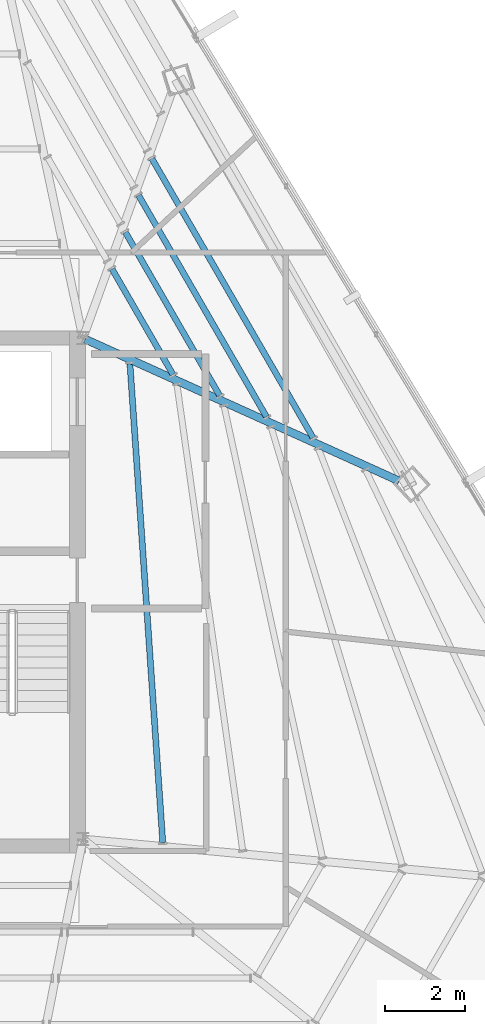
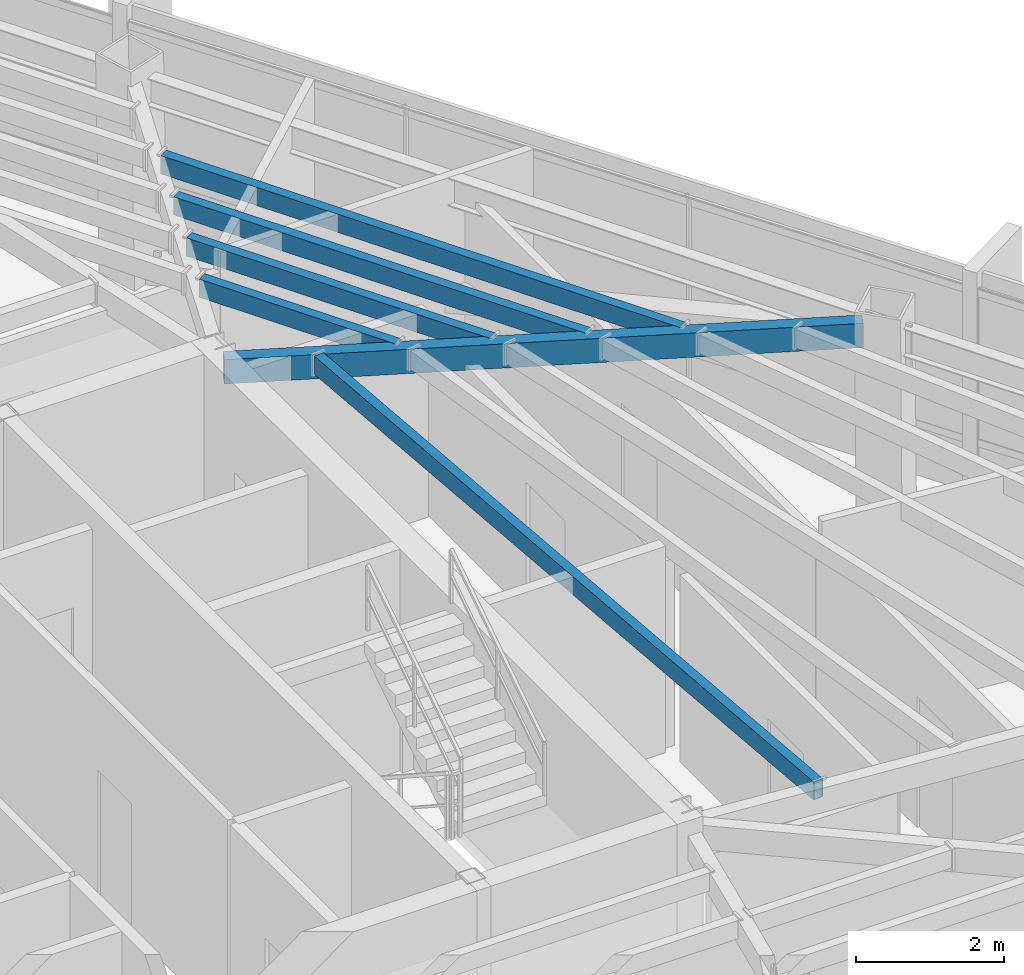
# One storey, part 27 of 47: 6 beams.
"""IFC4 building model written with IfcOpenShell, lengths in metres."""

from ifc_helpers import new_model, si_unit, direction, frame, origin, origin_2d, place, context, subcontext, project, spatial, hollow_rectangle, extrude, source, transform, mapped, material, material_profile, profile_set, type_object, type_shapes, element, save


model = new_model("IFC4")

# Units and contexts
model_context = context("Model", 3, precision=1e-05, world=origin(), true_north=direction((0.0, 1.0)))
body_context = subcontext(model_context, "Body", "Model", "MODEL_VIEW")
ifc_project = project(units=[si_unit("LENGTHUNIT", "METRE"), si_unit("AREAUNIT", "SQUARE_METRE"), si_unit("VOLUMEUNIT", "CUBIC_METRE"), si_unit("PLANEANGLEUNIT", "RADIAN"), si_unit("MASSUNIT", "GRAM", prefix="KILO")], contexts=[model_context])

# Site, building, storey
site_placement = place(None, origin())
site = spatial("IfcSite", under=ifc_project, at=site_placement, CompositionType="ELEMENT")
building_placement = place(site_placement, origin())
building = spatial("IfcBuilding", under=site, at=building_placement, Name="Caelisora Broadcast Tower", CompositionType="ELEMENT")
storey_placement = place(building_placement, frame((0.0, 0.0, 248.10009765625)))
storey = spatial("IfcBuildingStorey", under=building, at=storey_placement, Name="L65", CompositionType="ELEMENT", Elevation=248.10009765625)

# Beams
ifc_material = material(Name="Steel Grade 350 (AS/NZS 1163 C350L0)", Category="steel")
ifc_material_profile_1 = material_profile(ifc_material, hollow_rectangle(XDim=0.199951171875, YDim=0.39990234375, WallThickness=0.012451171875, at=origin_2d()), Name="Steel Grade 350 (AS/NZS 1163 C350L0)")
ifc_profile_set_1 = profile_set([ifc_material_profile_1], Name="Steel Grade 350 (AS/NZS 1163 C350L0)")
beam_type_1 = type_object("IfcBeamType", Name="PG07", PredefinedType="BEAM", material=ifc_profile_set_1)
shared_shape_1 = source(origin(), body_context, "Body", "SweptSolid", [
    extrude(hollow_rectangle(XDim=0.199951171875, YDim=0.39990234375, WallThickness=0.012451171875, at=origin_2d()), origin(), (0.0, 0.0, 1.0), 8.666748046875),
])
type_shapes(beam_type_1, [shared_shape_1])
beam_1_placement = place(storey_placement, frame((45.5546875, 29.975341796875, 3.199951171875), z_axis=(0.911319122505, -0.411700688554, 0.0), x_axis=(0.411700688554, 0.911319122505, 0.0)))
element("IfcBeam", 1, at=beam_1_placement, inside=storey, type_object=beam_type_1, Name="L65 beam PG07", PredefinedType="BEAM", context=body_context, shape_type="MappedRepresentation", body=[
    mapped(shared_shape_1, transform((0.0, 0.0, 0.0), scale=1.0)),
])
ifc_material_profile_2 = material_profile(ifc_material, hollow_rectangle(XDim=0.14990234375, YDim=0.300048828125, WallThickness=0.010009765625, at=origin_2d()), Name="Steel Grade 350 (AS/NZS 1163 C350L0)")
ifc_profile_set_2 = profile_set([ifc_material_profile_2], Name="Steel Grade 350 (AS/NZS 1163 C350L0)")
beam_type_2 = type_object("IfcBeamType", Name="SB05", PredefinedType="JOIST", material=ifc_profile_set_2)
shared_shape_2 = source(origin(), body_context, "Body", "SweptSolid", [
    extrude(hollow_rectangle(XDim=0.14990234375, YDim=0.300048828125, WallThickness=0.010009765625, at=origin_2d()), origin(), (0.0, 0.0, 1.0), 3.06591796875),
])
beam_2_placement = place(storey_placement, frame((47.765625, 29.084228515625, 3.25), z_axis=(-0.499984381217, 0.866034421105, 0.0), x_axis=(-0.866034421105, -0.499984381217, 0.0)))
element("IfcBeam", 2, at=beam_2_placement, inside=storey, type_object=beam_type_2, Name="L65 beam SB05", PredefinedType="JOIST", context=body_context, shape_type="MappedRepresentation", body=[
    mapped(shared_shape_2, transform((0.0, 0.0, 0.0), scale=1.0)),
])
shared_shape_3 = source(origin(), body_context, "Body", "SweptSolid", [
    extrude(hollow_rectangle(XDim=0.14990234375, YDim=0.300048828125, WallThickness=0.010009765625, at=origin_2d()), origin(), (0.0, 0.0, 1.0), 4.7470703125),
])
beam_3_placement = place(storey_placement, frame((48.940673828125, 28.553466796875, 3.25), z_axis=(-0.499999954373, 0.866025430127, 0.0), x_axis=(-0.866025430127, -0.499999954373, 0.0)))
element("IfcBeam", 3, at=beam_3_placement, inside=storey, type_object=beam_type_2, Name="L65 beam SB05", PredefinedType="JOIST", context=body_context, shape_type="MappedRepresentation", body=[
    mapped(shared_shape_3, transform((0.0, 0.0, 0.0), scale=1.0)),
])
shared_shape_4 = source(origin(), body_context, "Body", "SweptSolid", [
    extrude(hollow_rectangle(XDim=0.14990234375, YDim=0.300048828125, WallThickness=0.010009765625, at=origin_2d()), origin(), (0.0, 0.0, 1.0), 6.427978515625),
])
beam_4_placement = place(storey_placement, frame((50.115478515625, 28.022705078125, 3.25), z_axis=(-0.49997889665, 0.866037587467, 0.0), x_axis=(-0.866037587467, -0.49997889665, 0.0)))
element("IfcBeam", 4, at=beam_4_placement, inside=storey, type_object=beam_type_2, Name="L65 beam SB05", PredefinedType="JOIST", context=body_context, shape_type="MappedRepresentation", body=[
    mapped(shared_shape_4, transform((0.0, 0.0, 0.0), scale=1.0)),
])
shared_shape_5 = source(origin(), body_context, "Body", "SweptSolid", [
    extrude(hollow_rectangle(XDim=0.14990234375, YDim=0.300048828125, WallThickness=0.010009765625, at=origin_2d()), origin(), (0.0, 0.0, 1.0), 8.109375),
])
beam_5_placement = place(storey_placement, frame((51.29052734375, 27.491943359375, 3.25), z_axis=(-0.499998693927, 0.866026157845, 0.0), x_axis=(-0.866026157845, -0.499998693927, 0.0)))
element("IfcBeam", 5, at=beam_5_placement, inside=storey, type_object=beam_type_2, Name="L65 beam SB05", PredefinedType="JOIST", context=body_context, shape_type="MappedRepresentation", body=[
    mapped(shared_shape_5, transform((0.0, 0.0, 0.0), scale=1.0)),
])
shared_shape_6 = source(origin(), body_context, "Body", "SweptSolid", [
    extrude(hollow_rectangle(XDim=0.14990234375, YDim=0.300048828125, WallThickness=0.010009765625, at=origin_2d()), origin(), (0.0, 0.0, 1.0), 12.07568359375),
])
type_shapes(beam_type_2, [shared_shape_2, shared_shape_3, shared_shape_4, shared_shape_5, shared_shape_6])
beam_6_placement = place(storey_placement, frame((47.5087890625, 17.3115234375, 3.25), z_axis=(-0.068416301487, 0.997656859692, 0.0), x_axis=(-0.997656859692, -0.068416301487, 0.0)))
element("IfcBeam", 6, at=beam_6_placement, inside=storey, type_object=beam_type_2, Name="L65 beam SB05", PredefinedType="JOIST", context=body_context, shape_type="MappedRepresentation", body=[
    mapped(shared_shape_6, transform((0.0, 0.0, 0.0), scale=1.0)),
])

save(model, "model.ifc")
